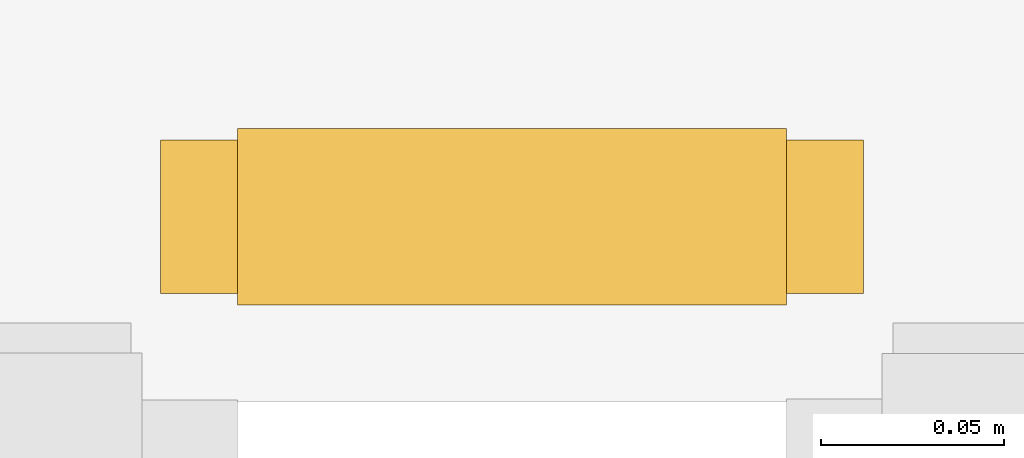
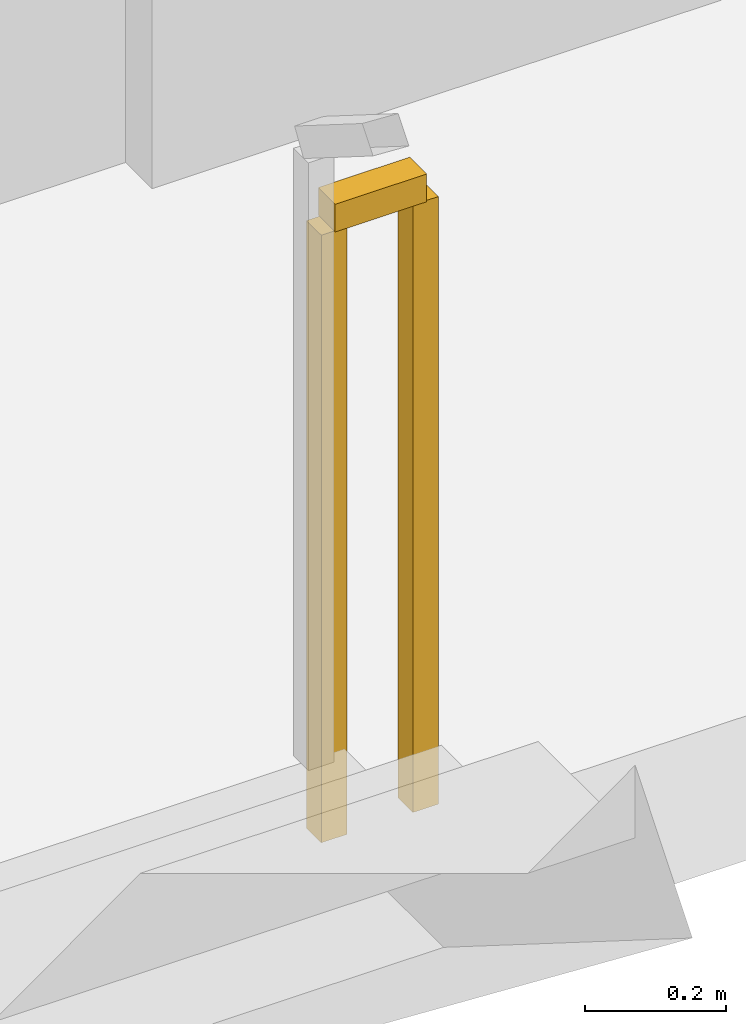
# One storey, part 15 of 18: 1 railing.
"""IFC4 building model written with IfcOpenShell, lengths in metres."""

import ifcopenshell
import ifcopenshell.guid

model = None  # the IFC model being written
_history = None  # IfcOwnerHistory: only IFC2X3 demands one
_inside = {}  # id of a spatial element -> (the spatial element, [elements in it])
_under = {}  # id of a project, library or spatial element -> (it, [spatial elements below it])
_declared = {}  # id of a project -> (the project, [libraries it declares])
_typed = {}  # id of a type object -> (the type object, [elements of that type])
_made_of = {}  # id of a material, layer set ... -> (it, [elements and type objects made of it])


def new_model(schema):
    """Start an empty IFC model of exactly this schema.

    Asked for "IFC4X3", IfcOpenShell would pick the latest addendum, in which some entities
    have other attributes; the version numbers below select the first issue.
    IFC2X3 requires an IfcOwnerHistory on every rooted entity: one is made here for all.
    """
    global model, _history
    if schema == "IFC4X3":
        model = ifcopenshell.file(schema_version=(4, 3, 0, 0))
    else:
        model = ifcopenshell.file(schema=schema)
    _inside.clear()
    _under.clear()
    _declared.clear()
    _typed.clear()
    _made_of.clear()
    _history = None
    if model.schema == "IFC2X3":
        org = make("IfcOrganization", Name="unknown")
        user = make(
            "IfcPersonAndOrganization",
            ThePerson=make("IfcPerson", FamilyName="unknown"),
            TheOrganization=org,
        )
        app = make(
            "IfcApplication",
            ApplicationDeveloper=org,
            Version="unknown",
            ApplicationFullName="unknown",
            ApplicationIdentifier="unknown",
        )
        _history = make(
            "IfcOwnerHistory",
            OwningUser=user,
            OwningApplication=app,
            ChangeAction="ADDED",
            CreationDate=0,
        )
    return model


def make(cls, **values):
    """One entity of the class cls with the attributes given. An attribute that is None is left unset."""
    return model.create_entity(
        cls, **{name: value for name, value in values.items() if value is not None}
    )


def rooted(cls, **values):
    """An entity with a GlobalId (a new one), such as an element, a storey or a relation."""
    return make(cls, GlobalId=ifcopenshell.guid.new(), OwnerHistory=_history, **values)


def si_unit(unit_type, name, prefix=None):
    """IfcSIUnit, for example si_unit("LENGTHUNIT", "METRE", prefix="MILLI")."""
    return make("IfcSIUnit", UnitType=unit_type, Prefix=prefix, Name=name)


def assignment(units):
    """IfcUnitAssignment: the units of a project."""
    return None if units is None else make("IfcUnitAssignment", Units=units)


def point(xyz):
    """IfcCartesianPoint."""
    return None if xyz is None else make("IfcCartesianPoint", Coordinates=xyz)


def direction(xyz):
    """IfcDirection."""
    return None if xyz is None else make("IfcDirection", DirectionRatios=xyz)


def frame(location, z_axis=None, x_axis=None):
    """IfcAxis2Placement3D, a coordinate frame: its origin and axes. An axis left out is left unset."""
    return make(
        "IfcAxis2Placement3D",
        Location=point(location),
        Axis=direction(z_axis),
        RefDirection=direction(x_axis),
    )


def frame_2d(location, x_axis=None):
    """IfcAxis2Placement2D, a coordinate frame in the plane: its origin and x axis."""
    return make(
        "IfcAxis2Placement2D", Location=point(location), RefDirection=direction(x_axis)
    )


def origin():
    """The frame at (0, 0, 0) with its axes left unset."""
    return frame((0.0, 0.0, 0.0))


def origin_2d():
    """The frame at (0, 0) in the plane with its x axis left unset."""
    return frame_2d((0.0, 0.0))


def place(relative_to, where):
    """IfcLocalPlacement: puts the frame where relative to a parent placement (None: the world)."""
    return make(
        "IfcLocalPlacement", PlacementRelTo=relative_to, RelativePlacement=where
    )


def context(
    kind, dimensions, precision=None, world=None, true_north=None, identifier=None
):
    """IfcGeometricRepresentationContext, for example the 3D "Model" context."""
    return make(
        "IfcGeometricRepresentationContext",
        ContextIdentifier=identifier,
        ContextType=kind,
        CoordinateSpaceDimension=dimensions,
        Precision=precision,
        WorldCoordinateSystem=world,
        TrueNorth=true_north,
    )


def subcontext(parent, identifier, kind, view, scale=None):
    """IfcGeometricRepresentationSubContext, for example "Body" below "Model"."""
    return make(
        "IfcGeometricRepresentationSubContext",
        ContextIdentifier=identifier,
        ContextType=kind,
        ParentContext=parent,
        TargetScale=scale,
        TargetView=view,
    )


def project(units=None, contexts=None):
    """IfcProject with its units and contexts."""
    return rooted(
        "IfcProject",
        Name="project",
        RepresentationContexts=contexts,
        UnitsInContext=assignment(units),
    )


def spatial(cls, under=None, at=None, **own):
    """A site, building, storey or space (cls), placed at a placement, below another one or the project."""
    s = rooted(cls, ObjectPlacement=at, **own)
    if under is not None:
        _under.setdefault(under.id(), (under, []))[1].append(s)
    return s


def profile(cls, at=None, kind="AREA", **sizes):
    """A parametric profile (cls). Its sizes go by their IFC names, for example OverallWidth=200.0."""
    return make(cls, ProfileType=kind, Position=at, **sizes)


def rectangle(**sizes):
    """IfcRectangleProfileDef."""
    return profile("IfcRectangleProfileDef", **sizes)


def extrude(swept, where, along, depth):
    """IfcExtrudedAreaSolid: the profile swept, set in the frame where, extruded along a direction by depth."""
    return make(
        "IfcExtrudedAreaSolid",
        SweptArea=swept,
        Position=where,
        ExtrudedDirection=direction(along),
        Depth=depth,
    )


def shape(context_of_items, identifier, shape_type, items):
    """IfcShapeRepresentation: the items that make up one representation, for example the "Body"."""
    return make(
        "IfcShapeRepresentation",
        ContextOfItems=context_of_items,
        RepresentationIdentifier=identifier,
        RepresentationType=shape_type,
        Items=items,
    )


def material(Name=None, Category=None):
    """IfcMaterial."""
    return make("IfcMaterial", Name=Name, Category=Category)


def made_of(thing, what):
    """Note that an element or type object is made of a material, layer set ...; save() writes the relation."""
    if what is not None:
        _made_of.setdefault(what.id(), (what, []))[1].append(thing)
    return thing


def type_object(cls, material=None, **own):
    """A type object (cls), such as IfcWallType, which elements share."""
    return made_of(rooted(cls, **own), material)


def element(
    cls,
    number,
    at=None,
    inside=None,
    cuts=None,
    type_object=None,
    material=None,
    context=None,
    identifier="Body",
    shape_type=None,
    held_by="IfcProductDefinitionShape",
    body=None,
    shapes=None,
    **own,
):
    """One element of the class cls, such as IfcWall. Its Tag is "e" and its number.

    at: its placement. inside: the storey or other place that contains it. cuts: it is an
    opening in that element (IfcRelVoidsElement). A single representation is given by context,
    identifier, shape_type and body (its items); several are given by shapes. held_by: the class
    of the entity that holds the representations. save() writes the other relations.
    """
    e = rooted(cls, Tag="e%d" % number, ObjectPlacement=at, **own)
    if body is not None:
        shapes = [shape(context, identifier, shape_type, body)]
    if shapes is not None:
        e.Representation = make(held_by, Representations=shapes)
    if inside is not None:
        _inside.setdefault(inside.id(), (inside, []))[1].append(e)
    if cuts is not None:
        rooted(
            "IfcRelVoidsElement", RelatingBuildingElement=cuts, RelatedOpeningElement=e
        )
    if type_object is not None:
        _typed.setdefault(type_object.id(), (type_object, []))[1].append(e)
    return made_of(e, material)


def aggregate(whole, parts):
    """IfcRelAggregates: a whole, such as a stair, and the parts it consists of."""
    return rooted("IfcRelAggregates", RelatingObject=whole, RelatedObjects=parts)


def save(model, path):
    """Write the relations noted so far, then the file.

    IfcRelAggregates (storeys below a building ...), IfcRelContainedInSpatialStructure (elements
    in a storey), IfcRelDefinesByType, IfcRelAssociatesMaterial and IfcRelDeclares: one each for
    every whole, place, type object, material and project.
    """
    for whole, parts in _under.values():
        aggregate(whole, parts)
    for where, things in _inside.values():
        rooted(
            "IfcRelContainedInSpatialStructure",
            RelatedElements=things,
            RelatingStructure=where,
        )
    for kind, things in _typed.values():
        rooted("IfcRelDefinesByType", RelatedObjects=things, RelatingType=kind)
    for what, things in _made_of.values():
        rooted("IfcRelAssociatesMaterial", RelatedObjects=things, RelatingMaterial=what)
    for by, libraries in _declared.values():
        rooted("IfcRelDeclares", RelatingContext=by, RelatedDefinitions=libraries)
    model.write(path)


model = new_model("IFC4")

# Units and contexts
model_context = context("Model", 3, precision=1e-05, world=origin(), true_north=direction((0.0, 1.0)))
body_context = subcontext(model_context, "Body", "Model", "MODEL_VIEW")
ifc_project = project(units=[si_unit("LENGTHUNIT", "METRE"), si_unit("AREAUNIT", "SQUARE_METRE"), si_unit("VOLUMEUNIT", "CUBIC_METRE"), si_unit("PLANEANGLEUNIT", "RADIAN"), si_unit("MASSUNIT", "GRAM", prefix="KILO")], contexts=[model_context])

# Site, building, storey
site_placement = place(None, origin())
site = spatial("IfcSite", under=ifc_project, at=site_placement, CompositionType="ELEMENT")
building_placement = place(site_placement, origin())
building = spatial("IfcBuilding", under=site, at=building_placement, Name="Cinnabar Lancet Tower", CompositionType="ELEMENT")
storey_placement = place(building_placement, frame((0.0, 0.0, 10.5)))
storey = spatial("IfcBuildingStorey", under=building, at=storey_placement, Name="L02", CompositionType="ELEMENT", Elevation=10.5)

# Railing
ifc_material = material(Name="Painted galvanized steel balustrade", Category="steel")
railing_type = type_object("IfcRailingType", Name="GUARD-STAIR", PredefinedType="GUARDRAIL", material=ifc_material)
railing_placement = place(storey_placement, frame((15.7451171875, 16.199951171875, 0.0)))
element("IfcRailing", 1, at=railing_placement, inside=storey, type_object=railing_type, Name="L02 ST-3 stair guard 4", PredefinedType="GUARDRAIL", context=body_context, shape_type="SweptSolid", body=[
    extrude(rectangle(XDim=0.048095703125, YDim=0.048095703125, at=origin_2d()), frame((0.0, 0.0, 1.076171875), z_axis=(1.0, 0.0, 0.0), x_axis=(0.0, 1.0, 0.0)), (0.0, 0.0, 1.0), 0.14990234375),
    extrude(rectangle(XDim=0.0419921875, YDim=0.0419921875, at=origin_2d()), origin(), (0.0, 0.0, 1.0), 1.052001953125),
    extrude(rectangle(XDim=0.0419921875, YDim=0.0419921875, at=origin_2d()), frame((0.14990234375, 0.0, 0.0)), (0.0, 0.0, 1.0), 1.052001953125),
])

save(model, "model.ifc")
